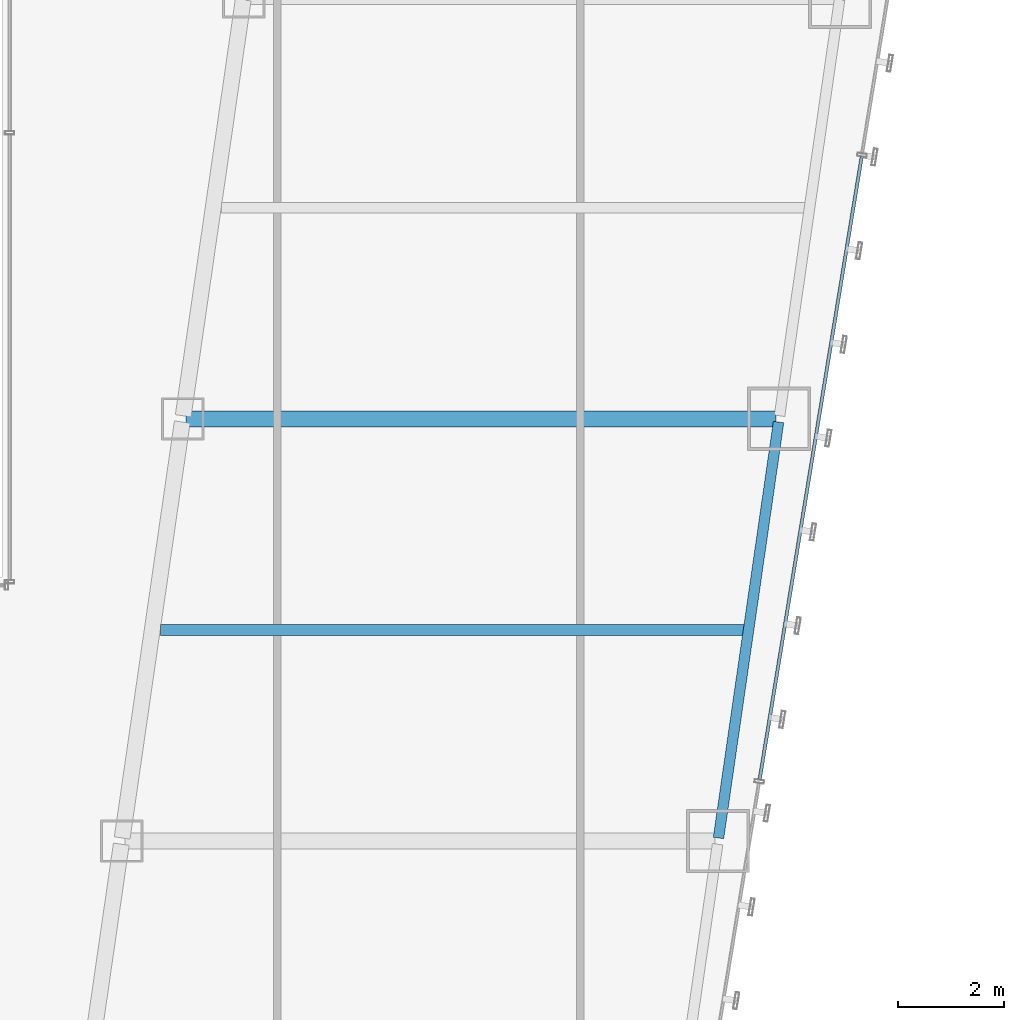
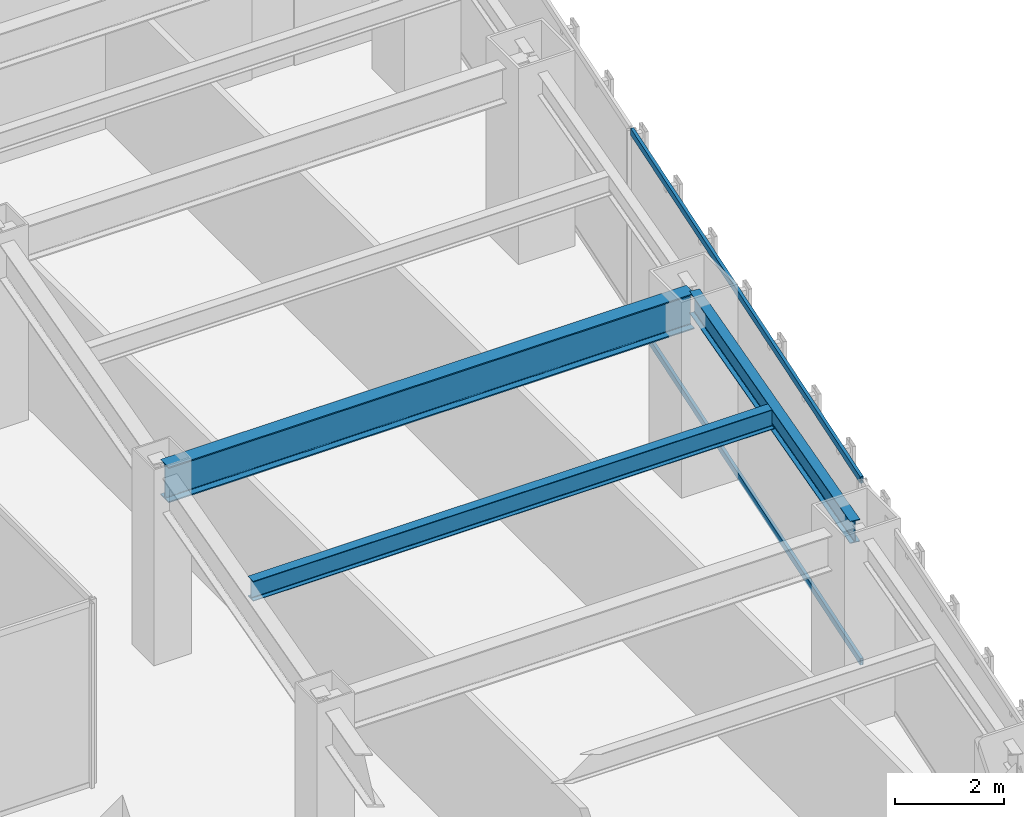
# One storey, part 19 of 47: 3 beams, 2 members, 1 element without a shape of its own.
"""IFC4 building model written with IfcOpenShell, lengths in metres."""

from ifc_helpers import new_model, si_unit, direction, frame, origin, origin_2d, place, context, subcontext, project, spatial, hollow_rectangle, i_section, extrude, material, material_profile, profile_set, type_object, element, aggregate, save


model = new_model("IFC4")

# Units and contexts
model_context = context("Model", 3, precision=1e-05, world=origin(), true_north=direction((0.0, 1.0)))
body_context = subcontext(model_context, "Body", "Model", "MODEL_VIEW")
ifc_project = project(units=[si_unit("LENGTHUNIT", "METRE"), si_unit("AREAUNIT", "SQUARE_METRE"), si_unit("VOLUMEUNIT", "CUBIC_METRE"), si_unit("PLANEANGLEUNIT", "RADIAN"), si_unit("MASSUNIT", "GRAM", prefix="KILO")], contexts=[model_context])

# Site, building, storey
site_placement = place(None, origin())
site = spatial("IfcSite", under=ifc_project, at=site_placement, CompositionType="ELEMENT")
building_placement = place(site_placement, origin())
building = spatial("IfcBuilding", under=site, at=building_placement, Name="Saevonmaru Cultural Tower", CompositionType="ELEMENT")
storey_placement = place(building_placement, frame((0.0, 0.0, 69.199951171875)))
storey = spatial("IfcBuildingStorey", under=building, at=storey_placement, Name="L14", CompositionType="ELEMENT", Elevation=69.199951171875)

# Beams
ifc_material_1 = material(Name="Steel SM420", Category="steel")
ifc_material_profile_1 = material_profile(ifc_material_1, i_section(OverallWidth=0.300048828125, OverallDepth=0.800048828125, WebThickness=0.013916015625, FlangeThickness=0.02587890625, FilletRadius=0.028076171875, at=origin_2d()), Name="H-800x300x14x26")
ifc_profile_set_1 = profile_set([ifc_material_profile_1], Name="Steel SM420")
beam_type_1 = type_object("IfcBeamType", Name="BM-G-H800", PredefinedType="BEAM", material=ifc_profile_set_1)
beam_1_placement = place(storey_placement, frame((39.2880859375, 24.0, 3.75), z_axis=(1.0, 0.0, 0.0), x_axis=(0.0, 1.0, 0.0)))
element("IfcBeam", 1, at=beam_1_placement, inside=storey, type_object=beam_type_1, Name="L14 East Wing Transverse Girder 4", PredefinedType="BEAM", context=body_context, shape_type="SweptSolid", body=[
    extrude(i_section(OverallWidth=0.300048828125, OverallDepth=0.800048828125, WebThickness=0.013916015625, FlangeThickness=0.02587890625, FilletRadius=0.028076171875, at=origin_2d()), origin(), (0.0, 0.0, 1.0), 11.179931640625),
])
ifc_material_2 = material(Name="Steel SM355", Category="steel")
ifc_material_profile_2 = material_profile(ifc_material_2, i_section(OverallWidth=0.199951171875, OverallDepth=0.449951171875, WebThickness=0.009033203125, FlangeThickness=0.013916015625, FilletRadius=0.01806640625, at=origin_2d()), Name="H-450x200x9x14")
ifc_profile_set_2 = profile_set([ifc_material_profile_2], Name="Steel SM355")
beam_type_2 = type_object("IfcBeamType", Name="BM-J-H450", PredefinedType="JOIST", material=ifc_profile_set_2)
beam_2_placement = place(storey_placement, frame((38.80810546875, 20.0, 3.925048828125), z_axis=(1.0, 0.0, 0.0), x_axis=(0.0, 1.0, 0.0)))
element("IfcBeam", 2, at=beam_2_placement, inside=storey, type_object=beam_type_2, Name="L14 East Wing Floor Joist 3", PredefinedType="JOIST", context=body_context, shape_type="SweptSolid", body=[
    extrude(i_section(OverallWidth=0.199951171875, OverallDepth=0.449951171875, WebThickness=0.009033203125, FlangeThickness=0.013916015625, FilletRadius=0.01806640625, at=origin_2d()), origin(), (0.0, 0.0, 1.0), 11.081787109375),
])
ifc_material_profile_3 = material_profile(ifc_material_2, i_section(OverallWidth=0.199951171875, OverallDepth=0.5, WebThickness=0.010009765625, FlangeThickness=0.01611328125, FilletRadius=0.02001953125, at=origin_2d()), Name="H-500x200x10x16")
ifc_profile_set_3 = profile_set([ifc_material_profile_3], Name="Steel SM355")
beam_type_3 = type_object("IfcBeamType", Name="BM-SP-H500", PredefinedType="SPANDREL", material=ifc_profile_set_3)
beam_3_placement = place(storey_placement, frame((49.380615234375, 16.059326171875, 3.900146484375), z_axis=(0.142992129437, 0.989723825579, 0.0), x_axis=(-0.989723825579, 0.142992129437, 0.0)))
element("IfcBeam", 3, at=beam_3_placement, inside=storey, type_object=beam_type_3, Name="L14 East Splayed Spandrel 3", PredefinedType="SPANDREL", context=body_context, shape_type="SweptSolid", body=[
    extrude(i_section(OverallWidth=0.199951171875, OverallDepth=0.5, WebThickness=0.010009765625, FlangeThickness=0.01611328125, FilletRadius=0.02001953125, at=origin_2d()), origin(), (0.0, 0.0, 1.0), 7.963134765625),
])

# Curtain wall, members
ifc_material_3 = material(Name="Satin Bronze Anodised Aluminium", Category="aluminium")
curtain_wall_type = type_object("IfcCurtainWallType", Name="CW-TYP-A", PredefinedType="NOTDEFINED", material=ifc_material_3)
curtain_wall_placement = place(storey_placement, origin())
curtain_wall = element("IfcCurtainWall", 4, at=curtain_wall_placement, inside=storey, type_object=curtain_wall_type, Name="L14 Unitised Curtain Wall E8", PredefinedType="NOTDEFINED")
ifc_material_profile_4 = material_profile(ifc_material_3, hollow_rectangle(XDim=0.06494140625, YDim=0.14990234375, WallThickness=0.00390625, at=origin_2d()), Name="ALU-TRAN-150x65x4")
ifc_profile_set_4 = profile_set([ifc_material_profile_4], Name="Satin Bronze Anodised Aluminium")
member_type = type_object("IfcMemberType", Name="TR-CW-150x65", PredefinedType="USERDEFINED", material=ifc_profile_set_4)
member_1_placement = place(storey_placement, frame((50.16015625, 17.16162109375, 0.032470703125), z_axis=(0.161701400727, 0.986839732177, 0.0), x_axis=(-0.986839732177, 0.161701400727, 0.0)))
member_1 = element("IfcMember", 5, at=member_1_placement, type_object=member_type, Name="CW-TW-L14-E8 transom 2.1", ObjectType="TRANSOM", PredefinedType="USERDEFINED", context=body_context, shape_type="SweptSolid", body=[
    extrude(hollow_rectangle(XDim=0.06494140625, YDim=0.14990234375, WallThickness=0.00390625, at=origin_2d()), origin(), (0.0, 0.0, 1.0), 11.9638671875),
])
member_2_placement = place(storey_placement, frame((50.16015625, 17.16162109375, 4.117431640625), z_axis=(0.161701400727, 0.986839732177, 0.0), x_axis=(-0.986839732177, 0.161701400727, 0.0)))
member_2 = element("IfcMember", 6, at=member_2_placement, type_object=member_type, Name="CW-TW-L14-E8 transom 2.2", ObjectType="TRANSOM", PredefinedType="USERDEFINED", context=body_context, shape_type="SweptSolid", body=[
    extrude(hollow_rectangle(XDim=0.06494140625, YDim=0.14990234375, WallThickness=0.00390625, at=origin_2d()), origin(), (0.0, 0.0, 1.0), 11.9638671875),
])
aggregate(curtain_wall, [member_1, member_2])

save(model, "model.ifc")
